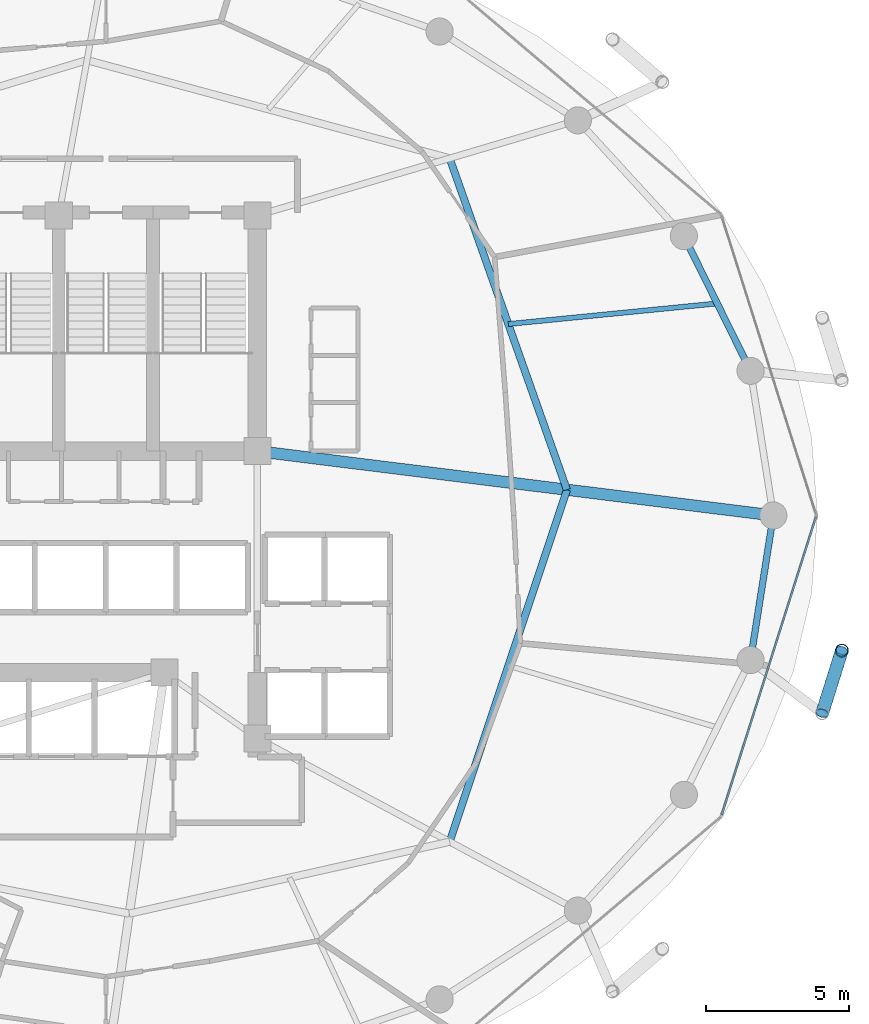
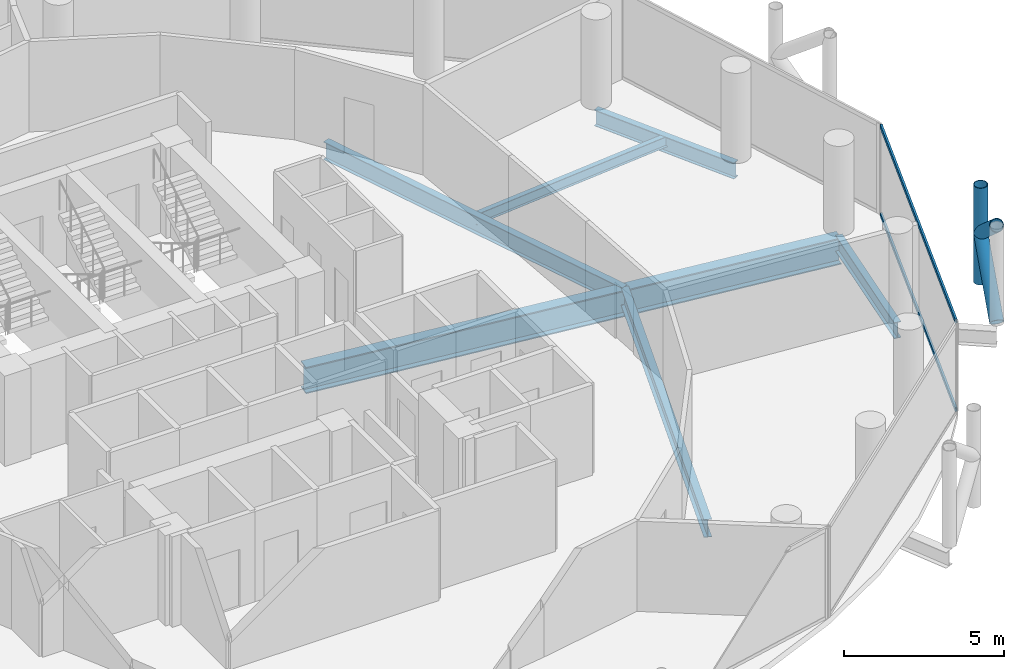
# One storey, part 11 of 26: 6 beams, 5 members, 1 element without a shape of its own.
"""IFC4 building model written with IfcOpenShell, lengths in metres."""

import ifcopenshell
import ifcopenshell.guid

model = None  # the IFC model being written
_history = None  # IfcOwnerHistory: only IFC2X3 demands one
_inside = {}  # id of a spatial element -> (the spatial element, [elements in it])
_under = {}  # id of a project, library or spatial element -> (it, [spatial elements below it])
_declared = {}  # id of a project -> (the project, [libraries it declares])
_typed = {}  # id of a type object -> (the type object, [elements of that type])
_made_of = {}  # id of a material, layer set ... -> (it, [elements and type objects made of it])


def new_model(schema):
    """Start an empty IFC model of exactly this schema.

    Asked for "IFC4X3", IfcOpenShell would pick the latest addendum, in which some entities
    have other attributes; the version numbers below select the first issue.
    IFC2X3 requires an IfcOwnerHistory on every rooted entity: one is made here for all.
    """
    global model, _history
    if schema == "IFC4X3":
        model = ifcopenshell.file(schema_version=(4, 3, 0, 0))
    else:
        model = ifcopenshell.file(schema=schema)
    _inside.clear()
    _under.clear()
    _declared.clear()
    _typed.clear()
    _made_of.clear()
    _history = None
    if model.schema == "IFC2X3":
        org = make("IfcOrganization", Name="unknown")
        user = make(
            "IfcPersonAndOrganization",
            ThePerson=make("IfcPerson", FamilyName="unknown"),
            TheOrganization=org,
        )
        app = make(
            "IfcApplication",
            ApplicationDeveloper=org,
            Version="unknown",
            ApplicationFullName="unknown",
            ApplicationIdentifier="unknown",
        )
        _history = make(
            "IfcOwnerHistory",
            OwningUser=user,
            OwningApplication=app,
            ChangeAction="ADDED",
            CreationDate=0,
        )
    return model


def make(cls, **values):
    """One entity of the class cls with the attributes given. An attribute that is None is left unset."""
    return model.create_entity(
        cls, **{name: value for name, value in values.items() if value is not None}
    )


def rooted(cls, **values):
    """An entity with a GlobalId (a new one), such as an element, a storey or a relation."""
    return make(cls, GlobalId=ifcopenshell.guid.new(), OwnerHistory=_history, **values)


def si_unit(unit_type, name, prefix=None):
    """IfcSIUnit, for example si_unit("LENGTHUNIT", "METRE", prefix="MILLI")."""
    return make("IfcSIUnit", UnitType=unit_type, Prefix=prefix, Name=name)


def assignment(units):
    """IfcUnitAssignment: the units of a project."""
    return None if units is None else make("IfcUnitAssignment", Units=units)


def point(xyz):
    """IfcCartesianPoint."""
    return None if xyz is None else make("IfcCartesianPoint", Coordinates=xyz)


def direction(xyz):
    """IfcDirection."""
    return None if xyz is None else make("IfcDirection", DirectionRatios=xyz)


def frame(location, z_axis=None, x_axis=None):
    """IfcAxis2Placement3D, a coordinate frame: its origin and axes. An axis left out is left unset."""
    return make(
        "IfcAxis2Placement3D",
        Location=point(location),
        Axis=direction(z_axis),
        RefDirection=direction(x_axis),
    )


def frame_2d(location, x_axis=None):
    """IfcAxis2Placement2D, a coordinate frame in the plane: its origin and x axis."""
    return make(
        "IfcAxis2Placement2D", Location=point(location), RefDirection=direction(x_axis)
    )


def origin():
    """The frame at (0, 0, 0) with its axes left unset."""
    return frame((0.0, 0.0, 0.0))


def origin_2d():
    """The frame at (0, 0) in the plane with its x axis left unset."""
    return frame_2d((0.0, 0.0))


def place(relative_to, where):
    """IfcLocalPlacement: puts the frame where relative to a parent placement (None: the world)."""
    return make(
        "IfcLocalPlacement", PlacementRelTo=relative_to, RelativePlacement=where
    )


def context(
    kind, dimensions, precision=None, world=None, true_north=None, identifier=None
):
    """IfcGeometricRepresentationContext, for example the 3D "Model" context."""
    return make(
        "IfcGeometricRepresentationContext",
        ContextIdentifier=identifier,
        ContextType=kind,
        CoordinateSpaceDimension=dimensions,
        Precision=precision,
        WorldCoordinateSystem=world,
        TrueNorth=true_north,
    )


def subcontext(parent, identifier, kind, view, scale=None):
    """IfcGeometricRepresentationSubContext, for example "Body" below "Model"."""
    return make(
        "IfcGeometricRepresentationSubContext",
        ContextIdentifier=identifier,
        ContextType=kind,
        ParentContext=parent,
        TargetScale=scale,
        TargetView=view,
    )


def project(units=None, contexts=None):
    """IfcProject with its units and contexts."""
    return rooted(
        "IfcProject",
        Name="project",
        RepresentationContexts=contexts,
        UnitsInContext=assignment(units),
    )


def spatial(cls, under=None, at=None, **own):
    """A site, building, storey or space (cls), placed at a placement, below another one or the project."""
    s = rooted(cls, ObjectPlacement=at, **own)
    if under is not None:
        _under.setdefault(under.id(), (under, []))[1].append(s)
    return s


def profile(cls, at=None, kind="AREA", **sizes):
    """A parametric profile (cls). Its sizes go by their IFC names, for example OverallWidth=200.0."""
    return make(cls, ProfileType=kind, Position=at, **sizes)


def hollow_rectangle(**sizes):
    """IfcRectangleHollowProfileDef."""
    return profile("IfcRectangleHollowProfileDef", **sizes)


def hollow_circle(**sizes):
    """IfcCircleHollowProfileDef."""
    return profile("IfcCircleHollowProfileDef", **sizes)


def i_section(**sizes):
    """IfcIShapeProfileDef."""
    return profile("IfcIShapeProfileDef", **sizes)


def extrude(swept, where, along, depth):
    """IfcExtrudedAreaSolid: the profile swept, set in the frame where, extruded along a direction by depth."""
    return make(
        "IfcExtrudedAreaSolid",
        SweptArea=swept,
        Position=where,
        ExtrudedDirection=direction(along),
        Depth=depth,
    )


def shape(context_of_items, identifier, shape_type, items):
    """IfcShapeRepresentation: the items that make up one representation, for example the "Body"."""
    return make(
        "IfcShapeRepresentation",
        ContextOfItems=context_of_items,
        RepresentationIdentifier=identifier,
        RepresentationType=shape_type,
        Items=items,
    )


def material(Name=None, Category=None):
    """IfcMaterial."""
    return make("IfcMaterial", Name=Name, Category=Category)


def layer(
    of_material, thickness, ventilated=None, Name=None, Category=None, Priority=None
):
    """IfcMaterialLayer: one layer of a wall or slab, of a material (None: an air gap)."""
    return make(
        "IfcMaterialLayer",
        Material=of_material,
        LayerThickness=thickness,
        IsVentilated=ventilated,
        Name=Name,
        Category=Category,
        Priority=Priority,
    )


def layer_set(layers, Name=None):
    """IfcMaterialLayerSet."""
    return make("IfcMaterialLayerSet", MaterialLayers=layers, LayerSetName=Name)


def material_profile(
    of_material, cross_section, Name=None, Category=None, Priority=None
):
    """IfcMaterialProfile: a cross section and its material."""
    return make(
        "IfcMaterialProfile",
        Name=Name,
        Material=of_material,
        Profile=cross_section,
        Priority=Priority,
        Category=Category,
    )


def profile_set(profiles, Name=None, composite=None):
    """IfcMaterialProfileSet."""
    return make(
        "IfcMaterialProfileSet",
        Name=Name,
        MaterialProfiles=profiles,
        CompositeProfile=composite,
    )


def made_of(thing, what):
    """Note that an element or type object is made of a material, layer set ...; save() writes the relation."""
    if what is not None:
        _made_of.setdefault(what.id(), (what, []))[1].append(thing)
    return thing


def type_object(cls, material=None, **own):
    """A type object (cls), such as IfcWallType, which elements share."""
    return made_of(rooted(cls, **own), material)


def element(
    cls,
    number,
    at=None,
    inside=None,
    cuts=None,
    type_object=None,
    material=None,
    context=None,
    identifier="Body",
    shape_type=None,
    held_by="IfcProductDefinitionShape",
    body=None,
    shapes=None,
    **own,
):
    """One element of the class cls, such as IfcWall. Its Tag is "e" and its number.

    at: its placement. inside: the storey or other place that contains it. cuts: it is an
    opening in that element (IfcRelVoidsElement). A single representation is given by context,
    identifier, shape_type and body (its items); several are given by shapes. held_by: the class
    of the entity that holds the representations. save() writes the other relations.
    """
    e = rooted(cls, Tag="e%d" % number, ObjectPlacement=at, **own)
    if body is not None:
        shapes = [shape(context, identifier, shape_type, body)]
    if shapes is not None:
        e.Representation = make(held_by, Representations=shapes)
    if inside is not None:
        _inside.setdefault(inside.id(), (inside, []))[1].append(e)
    if cuts is not None:
        rooted(
            "IfcRelVoidsElement", RelatingBuildingElement=cuts, RelatedOpeningElement=e
        )
    if type_object is not None:
        _typed.setdefault(type_object.id(), (type_object, []))[1].append(e)
    return made_of(e, material)


def aggregate(whole, parts):
    """IfcRelAggregates: a whole, such as a stair, and the parts it consists of."""
    return rooted("IfcRelAggregates", RelatingObject=whole, RelatedObjects=parts)


def save(model, path):
    """Write the relations noted so far, then the file.

    IfcRelAggregates (storeys below a building ...), IfcRelContainedInSpatialStructure (elements
    in a storey), IfcRelDefinesByType, IfcRelAssociatesMaterial and IfcRelDeclares: one each for
    every whole, place, type object, material and project.
    """
    for whole, parts in _under.values():
        aggregate(whole, parts)
    for where, things in _inside.values():
        rooted(
            "IfcRelContainedInSpatialStructure",
            RelatedElements=things,
            RelatingStructure=where,
        )
    for kind, things in _typed.values():
        rooted("IfcRelDefinesByType", RelatedObjects=things, RelatingType=kind)
    for what, things in _made_of.values():
        rooted("IfcRelAssociatesMaterial", RelatedObjects=things, RelatingMaterial=what)
    for by, libraries in _declared.values():
        rooted("IfcRelDeclares", RelatingContext=by, RelatedDefinitions=libraries)
    model.write(path)


model = new_model("IFC4")

# Units and contexts
model_context = context("Model", 3, precision=1e-05, world=origin(), true_north=direction((0.0, 1.0)))
body_context = subcontext(model_context, "Body", "Model", "MODEL_VIEW")
ifc_project = project(units=[si_unit("LENGTHUNIT", "METRE"), si_unit("AREAUNIT", "SQUARE_METRE"), si_unit("VOLUMEUNIT", "CUBIC_METRE"), si_unit("PLANEANGLEUNIT", "RADIAN"), si_unit("MASSUNIT", "GRAM", prefix="KILO")], contexts=[model_context])

# Site, building, storey
site_placement = place(None, origin())
site = spatial("IfcSite", under=ifc_project, at=site_placement, CompositionType="ELEMENT")
building_placement = place(site_placement, origin())
building = spatial("IfcBuilding", under=site, at=building_placement, Name="Nuhasar Tower", CompositionType="ELEMENT")
storey_placement = place(building_placement, frame((0.0, 0.0, 170.050048828125)))
storey = spatial("IfcBuildingStorey", under=building, at=storey_placement, Name="L41", CompositionType="ELEMENT", Elevation=170.050048828125)

# Beams
ifc_material_1 = material(Name="Steel S355", Category="steel")
ifc_material_profile_1 = material_profile(ifc_material_1, i_section(OverallWidth=0.25390625, OverallDepth=0.68408203125, WebThickness=0.012451171875, FlangeThickness=0.018798828125, at=origin_2d()), Name="W27X94")
ifc_profile_set_1 = profile_set([ifc_material_profile_1], Name="Steel S355")
beam_type_1 = type_object("IfcBeamType", Name="BM-INRING-W27X94", PredefinedType="BEAM", material=ifc_profile_set_1)
beam_1_placement = place(storey_placement, frame((51.027099609375, 15.385986328125, -0.592041015625), z_axis=(0.31609797573, 0.948726551615, 0.0), x_axis=(-0.948726551615, 0.31609797573, 0.0)))
element("IfcBeam", 1, at=beam_1_placement, inside=storey, type_object=beam_type_1, Name="L41 Inner Header Beam 03", PredefinedType="BEAM", context=body_context, shape_type="SweptSolid", body=[
    extrude(i_section(OverallWidth=0.25390625, OverallDepth=0.68408203125, WebThickness=0.012451171875, FlangeThickness=0.018798828125, at=origin_2d()), origin(), (0.0, 0.0, 1.0), 12.9794921875),
])
beam_2_placement = place(storey_placement, frame((55.1298828125, 27.699951171875, -0.592041015625), z_axis=(-0.333599821096, 0.942714781556, 0.0), x_axis=(-0.942714781556, -0.333599821096, 0.0)))
element("IfcBeam", 2, at=beam_2_placement, inside=storey, type_object=beam_type_1, Name="L41 Inner Header Beam 04", PredefinedType="BEAM", context=body_context, shape_type="SweptSolid", body=[
    extrude(i_section(OverallWidth=0.25390625, OverallDepth=0.68408203125, WebThickness=0.012451171875, FlangeThickness=0.018798828125, at=origin_2d()), origin(), (0.0, 0.0, 1.0), 12.298583984375),
])
ifc_material_profile_2 = material_profile(ifc_material_1, i_section(OverallWidth=0.177978515625, OverallDepth=0.406005859375, WebThickness=0.0078125, FlangeThickness=0.0126953125, at=origin_2d()), Name="W16X40")
ifc_profile_set_2 = profile_set([ifc_material_profile_2], Name="Steel S355")
beam_type_2 = type_object("IfcBeamType", Name="BM-JST-W16X40", PredefinedType="JOIST", material=ifc_profile_set_2)
beam_3_placement = place(storey_placement, frame((53.0791015625, 33.4970703125, -0.453125), z_axis=(0.995170244515, 0.098164068947, 0.0), x_axis=(-0.098164068947, 0.995170244515, 0.0)))
element("IfcBeam", 3, at=beam_3_placement, inside=storey, type_object=beam_type_2, Name="L41 Secondary Floor Joist 04", PredefinedType="JOIST", context=body_context, shape_type="SweptSolid", body=[
    extrude(i_section(OverallWidth=0.177978515625, OverallDepth=0.406005859375, WebThickness=0.0078125, FlangeThickness=0.0126953125, at=origin_2d()), origin(), (0.0, 0.0, 1.0), 7.34423828125),
])
ifc_material_profile_3 = material_profile(ifc_material_1, i_section(OverallWidth=0.22998046875, OverallDepth=0.616943359375, WebThickness=0.01318359375, FlangeThickness=0.022216796875, at=origin_2d()), Name="W24X94")
ifc_profile_set_3 = profile_set([ifc_material_profile_3], Name="Steel S355")
beam_type_3 = type_object("IfcBeamType", Name="BM-RING-W24X94", PredefinedType="SPANDREL", material=ifc_profile_set_3)
beam_4_placement = place(storey_placement, frame((61.553955078125, 31.860107421875, -0.55810546875), z_axis=(-0.443347771709, 0.896349682501, 0.0), x_axis=(-0.896349682501, -0.443347771709, 0.0)))
element("IfcBeam", 4, at=beam_4_placement, inside=storey, type_object=beam_type_3, Name="L41 Perimeter Ring Spandrel 02", PredefinedType="SPANDREL", context=body_context, shape_type="SweptSolid", body=[
    extrude(i_section(OverallWidth=0.22998046875, OverallDepth=0.616943359375, WebThickness=0.01318359375, FlangeThickness=0.022216796875, at=origin_2d()), origin(), (0.0, 0.0, 1.0), 5.260009765625),
])
beam_5_placement = place(storey_placement, frame((61.553955078125, 21.739990234375, -0.55810546875), z_axis=(0.155426543608, 0.987847452566, 0.0), x_axis=(-0.987847452566, 0.155426543608, 0.0)))
element("IfcBeam", 5, at=beam_5_placement, inside=storey, type_object=beam_type_3, Name="L41 Perimeter Ring Spandrel 24", PredefinedType="SPANDREL", context=body_context, shape_type="SweptSolid", body=[
    extrude(i_section(OverallWidth=0.22998046875, OverallDepth=0.616943359375, WebThickness=0.01318359375, FlangeThickness=0.022216796875, at=origin_2d()), origin(), (0.0, 0.0, 1.0), 5.122314453125),
])
ifc_material_2 = material(Name="Steel S460", Category="steel")
ifc_material_profile_4 = material_profile(ifc_material_2, i_section(OverallWidth=0.40087890625, OverallDepth=1.010009765625, WebThickness=0.023681640625, FlangeThickness=0.0419921875, at=origin_2d()), Name="W40X297")
ifc_profile_set_4 = profile_set([ifc_material_profile_4], Name="Steel S460")
beam_type_4 = type_object("IfcBeamType", Name="BM-XFER-W40X297", PredefinedType="USERDEFINED", material=ifc_profile_set_4)
beam_6_placement = place(storey_placement, frame((44.300048828125, 29.050048828125, -0.755126953125), z_axis=(0.992320149485, -0.123696082908, 0.0), x_axis=(0.123696082908, 0.992320149485, 0.0)))
element("IfcBeam", 6, at=beam_6_placement, inside=storey, type_object=beam_type_4, Name="L41 Radial Floor Girder 04", ObjectType="GIRDER", PredefinedType="USERDEFINED", context=body_context, shape_type="SweptSolid", body=[
    extrude(i_section(OverallWidth=0.40087890625, OverallDepth=1.010009765625, WebThickness=0.023681640625, FlangeThickness=0.0419921875, at=origin_2d()), origin(), (0.0, 0.0, 1.0), 18.189697265625),
])

# Curtain wall, members
ifc_material_3 = material(Name="Aluminium 6063-T6", Category="aluminium")
ifc_layer = layer(ifc_material_3, 0.199951171875)
ifc_layer_set = layer_set([ifc_layer], Name="Aluminium 6063-T6")
curtain_wall_type = type_object("IfcCurtainWallType", Name="CW-Z2-HTL", PredefinedType="NOTDEFINED", material=ifc_layer_set)
curtain_wall_placement = place(storey_placement, origin())
curtain_wall = element("IfcCurtainWall", 7, at=curtain_wall_placement, inside=storey, type_object=curtain_wall_type, Name="L41 Unitised Curtain Wall 12", PredefinedType="NOTDEFINED")
ifc_material_profile_5 = material_profile(ifc_material_3, hollow_rectangle(XDim=0.070068359375, YDim=0.159912109375, WallThickness=0.00439453125, at=origin_2d()), Name="CWT-3")
ifc_profile_set_5 = profile_set([ifc_material_profile_5], Name="Aluminium 6063-T6")
member_type_1 = type_object("IfcMemberType", Name="CW-TRN-S3", PredefinedType="USERDEFINED", material=ifc_profile_set_5)
member_1_placement = place(storey_placement, frame((60.550048828125, 16.336669921875, 0.034912109375), z_axis=(0.301608163352, 0.953431967053, 0.0), x_axis=(-0.953431967053, 0.301608163352, 0.0)))
member_1 = element("IfcMember", 8, at=member_1_placement, type_object=member_type_1, Name="CW-Z2 transom 1.1", ObjectType="TRANSOM", PredefinedType="USERDEFINED", context=body_context, shape_type="SweptSolid", body=[
    extrude(hollow_rectangle(XDim=0.070068359375, YDim=0.159912109375, WallThickness=0.00439453125, at=origin_2d()), origin(), (0.0, 0.0, 1.0), 10.904296875),
])
member_2_placement = place(storey_placement, frame((60.550048828125, 16.336669921875, 3.4150390625), z_axis=(0.301608163352, 0.953431967053, 0.0), x_axis=(-0.953431967053, 0.301608163352, 0.0)))
member_2 = element("IfcMember", 9, at=member_2_placement, type_object=member_type_1, Name="CW-Z2 transom 1.2", ObjectType="TRANSOM", PredefinedType="USERDEFINED", context=body_context, shape_type="SweptSolid", body=[
    extrude(hollow_rectangle(XDim=0.070068359375, YDim=0.159912109375, WallThickness=0.00439453125, at=origin_2d()), origin(), (0.0, 0.0, 1.0), 10.904296875),
])
aggregate(curtain_wall, [member_1, member_2])

# Members
ifc_material_profile_6 = material_profile(ifc_material_2, hollow_circle(Radius=0.228515625, WallThickness=0.022216796875, at=origin_2d()), Name="HSS457X22.2")
ifc_profile_set_6 = profile_set([ifc_material_profile_6], Name="Steel S460")
member_type_2 = type_object("IfcMemberType", Name="EXO-BRONZE-457", PredefinedType="BRACE", material=ifc_profile_set_6)
member_3_placement = place(storey_placement, frame((64.748046875, 22.073974609375, 0.0), z_axis=(0.0, 0.0, 1.0), x_axis=(1.0, 0.0, 0.0)))
element("IfcMember", 10, at=member_3_placement, inside=storey, type_object=member_type_2, Name="L41 Exoskeleton Chord Column EC-12B", PredefinedType="BRACE", context=body_context, shape_type="SweptSolid", body=[
    extrude(hollow_circle(Radius=0.228515625, WallThickness=0.022216796875, at=origin_2d()), origin(), (0.0, 0.0, 1.0), 3.699951171875),
])
member_4_placement = place(storey_placement, frame((64.06005859375, 19.87890625, 0.0), z_axis=(0.233067628236, 0.74361641074, 0.626669062861), x_axis=(-0.954228474306, 0.29907861646, 0.0)))
element("IfcMember", 11, at=member_4_placement, inside=storey, type_object=member_type_2, Name="L41 Bronze Diagrid Brace W1-12", PredefinedType="BRACE", context=body_context, shape_type="SweptSolid", body=[
    extrude(hollow_circle(Radius=0.228515625, WallThickness=0.022216796875, at=origin_2d()), origin(), (0.0, 0.0, 1.0), 2.951904296875),
])
member_5_placement = place(storey_placement, frame((64.748046875, 22.073974609375, 1.849853515625), z_axis=(-0.233055548538, -0.743577869731, 0.626719285599), x_axis=(0.954228474306, -0.29907861646, 0.0)))
element("IfcMember", 12, at=member_5_placement, inside=storey, type_object=member_type_2, Name="L41 Bronze Diagrid Brace W2-12", PredefinedType="BRACE", context=body_context, shape_type="SweptSolid", body=[
    extrude(hollow_circle(Radius=0.228515625, WallThickness=0.022216796875, at=origin_2d()), origin(), (0.0, 0.0, 1.0), 2.9521484375),
])

save(model, "model.ifc")
